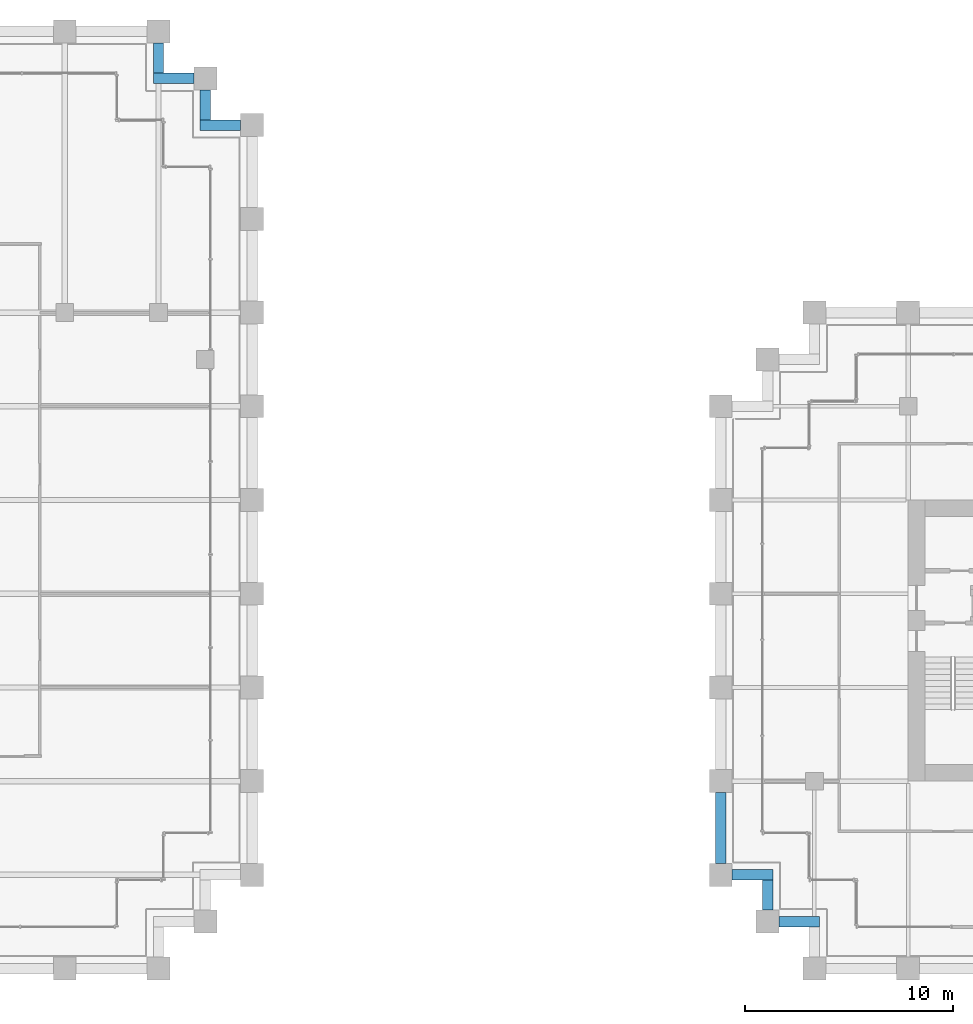
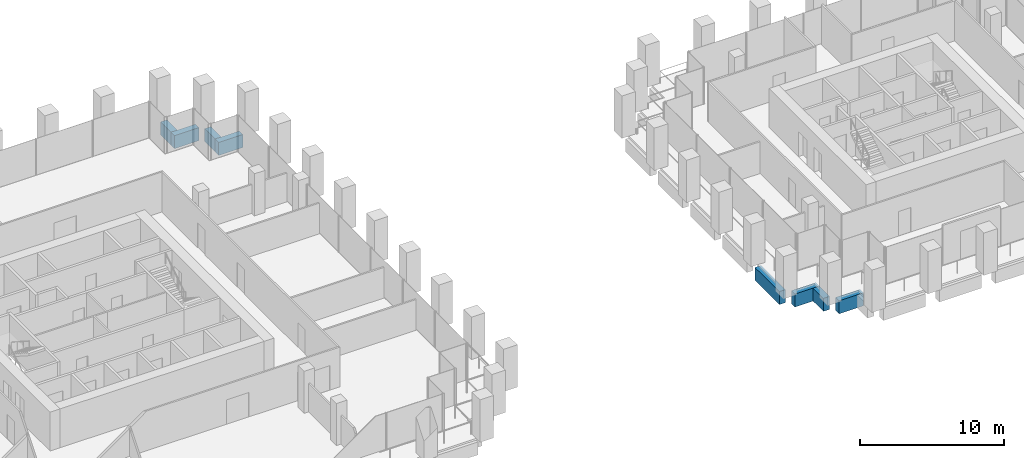
# One storey, part 33 of 56: 8 beams.
"""IFC4 building model written with IfcOpenShell, lengths in metres."""

from ifc_helpers import new_model, si_unit, direction, frame, origin, origin_2d, place, context, subcontext, project, spatial, rectangle, extrude, material, material_profile, profile_set, type_object, element, save


model = new_model("IFC4")

# Units and contexts
model_context = context("Model", 3, precision=1e-05, world=origin(), true_north=direction((0.0, 1.0)))
body_context = subcontext(model_context, "Body", "Model", "MODEL_VIEW")
ifc_project = project(units=[si_unit("LENGTHUNIT", "METRE"), si_unit("AREAUNIT", "SQUARE_METRE"), si_unit("VOLUMEUNIT", "CUBIC_METRE"), si_unit("PLANEANGLEUNIT", "RADIAN"), si_unit("MASSUNIT", "GRAM", prefix="KILO")], contexts=[model_context])

# Site, building, storey
site_placement = place(None, origin())
site = spatial("IfcSite", under=ifc_project, at=site_placement, CompositionType="ELEMENT")
building_placement = place(site_placement, origin())
building = spatial("IfcBuilding", under=site, at=building_placement, Name="Altepetl Exchange Towers", CompositionType="ELEMENT")
storey_placement = place(building_placement, frame((0.0, 0.0, 83.39990234375)))
storey = spatial("IfcBuildingStorey", under=building, at=storey_placement, Name="L20", CompositionType="ELEMENT", Elevation=83.39990234375)

# Beams
ifc_material_1 = material(Name="Concrete C50/60 precast with cantera rosa facing", Category="concrete")
ifc_material_profile_1 = material_profile(ifc_material_1, rectangle(XDim=0.5, YDim=1.10009765625, at=origin_2d()), Name="500 x 1100")
ifc_profile_set_1 = profile_set([ifc_material_profile_1], Name="Concrete C50/60 precast with cantera rosa facing")
beam_type_1 = type_object("IfcBeamType", Name="Spandrel beam 500x1100 cantera rosa", PredefinedType="SPANDREL", material=ifc_profile_set_1)
beam_1_placement = place(storey_placement, frame((71.449951171875, 67.5, -0.699951171875), z_axis=(-1.0, 0.0, 0.0), x_axis=(0.0, -1.0, 0.0)))
element("IfcBeam", 1, at=beam_1_placement, inside=storey, type_object=beam_type_1, Name="sp:A:L20:020", PredefinedType="SPANDREL", context=body_context, shape_type="SweptSolid", body=[
    extrude(rectangle(XDim=0.5, YDim=1.10009765625, at=origin_2d()), origin(), (0.0, 0.0, 1.0), 1.949951171875),
])
beam_2_placement = place(storey_placement, frame((69.75, 67.75, -0.699951171875), z_axis=(0.0, 1.0, 0.0), x_axis=(-1.0, 0.0, 0.0)))
element("IfcBeam", 2, at=beam_2_placement, inside=storey, type_object=beam_type_1, Name="sp:A:L20:021", PredefinedType="SPANDREL", context=body_context, shape_type="SweptSolid", body=[
    extrude(rectangle(XDim=0.5, YDim=1.10009765625, at=origin_2d()), origin(), (0.0, 0.0, 1.0), 1.449951171875),
])
beam_3_placement = place(storey_placement, frame((69.199951171875, 69.75, -0.699951171875), z_axis=(-1.0, 0.0, 0.0), x_axis=(0.0, -1.0, 0.0)))
element("IfcBeam", 3, at=beam_3_placement, inside=storey, type_object=beam_type_1, Name="sp:A:L20:022", PredefinedType="SPANDREL", context=body_context, shape_type="SweptSolid", body=[
    extrude(rectangle(XDim=0.5, YDim=1.10009765625, at=origin_2d()), origin(), (0.0, 0.0, 1.0), 1.949951171875),
])
beam_4_placement = place(storey_placement, frame((67.5, 70.0, -0.699951171875), z_axis=(0.0, 1.0, 0.0), x_axis=(-1.0, 0.0, 0.0)))
element("IfcBeam", 4, at=beam_4_placement, inside=storey, type_object=beam_type_1, Name="sp:A:L20:023", PredefinedType="SPANDREL", context=body_context, shape_type="SweptSolid", body=[
    extrude(rectangle(XDim=0.5, YDim=1.10009765625, at=origin_2d()), origin(), (0.0, 0.0, 1.0), 1.449951171875),
])
ifc_material_2 = material(Name="Concrete C50/60 precast with tezontle facing", Category="concrete")
ifc_material_profile_2 = material_profile(ifc_material_2, rectangle(XDim=0.5, YDim=1.10009765625, at=origin_2d()), Name="500 x 1100")
ifc_profile_set_2 = profile_set([ifc_material_profile_2], Name="Concrete C50/60 precast with tezontle facing")
beam_type_2 = type_object("IfcBeamType", Name="Spandrel beam 500x1100 tezontle", PredefinedType="SPANDREL", material=ifc_profile_set_2)
beam_5_placement = place(storey_placement, frame((94.5, 35.449951171875, -0.699951171875), z_axis=(0.0, -1.0, 0.0), x_axis=(1.0, 0.0, 0.0)))
element("IfcBeam", 5, at=beam_5_placement, inside=storey, type_object=beam_type_2, Name="sp:B:L20:031", PredefinedType="SPANDREL", context=body_context, shape_type="SweptSolid", body=[
    extrude(rectangle(XDim=0.5, YDim=1.10009765625, at=origin_2d()), origin(), (0.0, 0.0, 1.0), 3.39990234375),
])
beam_6_placement = place(storey_placement, frame((95.050048828125, 31.5, -0.699951171875), z_axis=(1.0, 0.0, 0.0), x_axis=(0.0, 1.0, 0.0)))
element("IfcBeam", 6, at=beam_6_placement, inside=storey, type_object=beam_type_2, Name="sp:B:L20:032", PredefinedType="SPANDREL", context=body_context, shape_type="SweptSolid", body=[
    extrude(rectangle(XDim=0.5, YDim=1.10009765625, at=origin_2d()), origin(), (0.0, 0.0, 1.0), 1.949951171875),
])
beam_7_placement = place(storey_placement, frame((96.75, 31.25, -0.699951171875), z_axis=(0.0, -1.0, 0.0), x_axis=(1.0, 0.0, 0.0)))
element("IfcBeam", 7, at=beam_7_placement, inside=storey, type_object=beam_type_2, Name="sp:B:L20:033", PredefinedType="SPANDREL", context=body_context, shape_type="SweptSolid", body=[
    extrude(rectangle(XDim=0.5, YDim=1.10009765625, at=origin_2d()), origin(), (0.0, 0.0, 1.0), 1.449951171875),
])
beam_8_placement = place(storey_placement, frame((97.300048828125, 29.25, -0.699951171875), z_axis=(1.0, 0.0, 0.0), x_axis=(0.0, 1.0, 0.0)))
element("IfcBeam", 8, at=beam_8_placement, inside=storey, type_object=beam_type_2, Name="sp:B:L20:034", PredefinedType="SPANDREL", context=body_context, shape_type="SweptSolid", body=[
    extrude(rectangle(XDim=0.5, YDim=1.10009765625, at=origin_2d()), origin(), (0.0, 0.0, 1.0), 1.949951171875),
])

save(model, "model.ifc")
